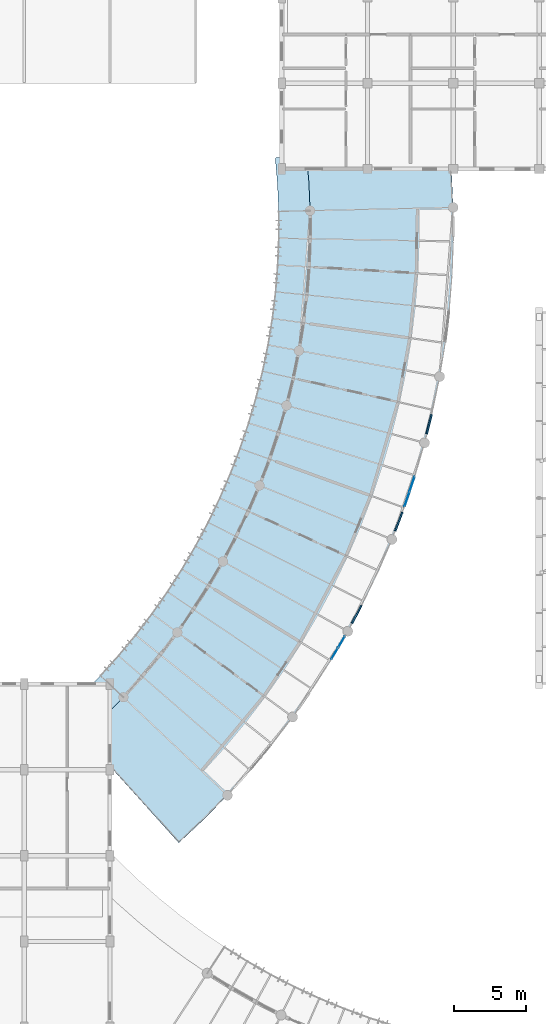
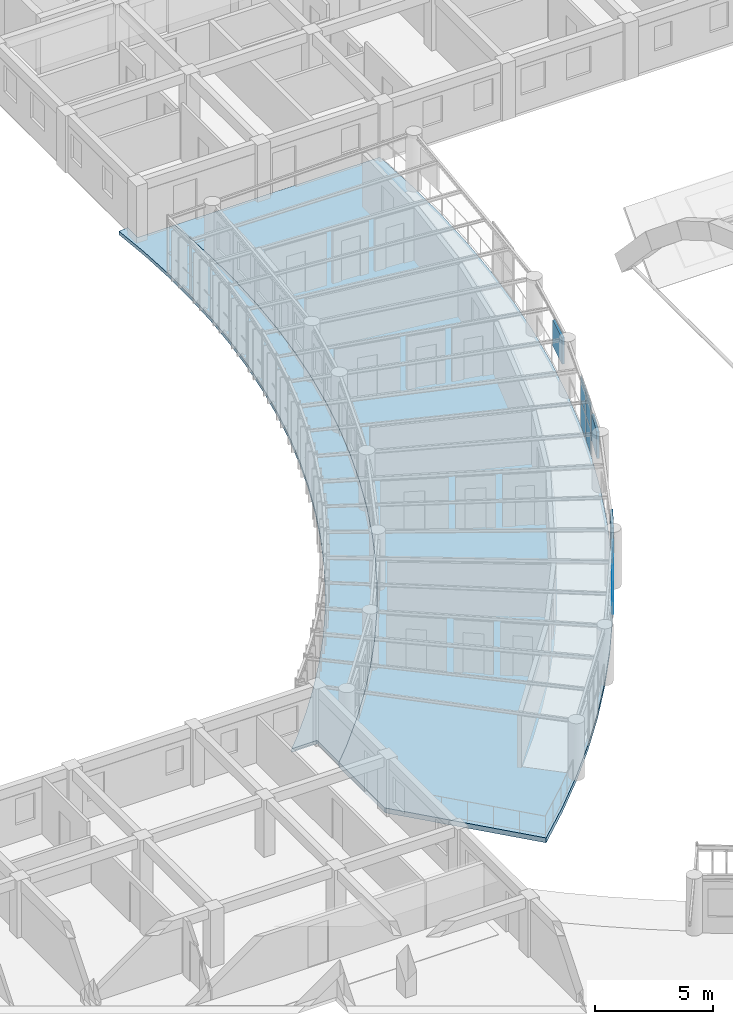
# One storey, part 61 of 123: 11 plates, 2 slabs, 2 elements without a shape of their own.
"""IFC4 building model written with IfcOpenShell, lengths in metres."""

from ifc_helpers import new_model, si_unit, direction, frame, origin, origin_2d, place, context, subcontext, project, spatial, polyline, rectangle, outline, extrude, material, layer, layer_set, type_object, element, aggregate, save


model = new_model("IFC4")

# Units and contexts
model_context = context("Model", 3, precision=1e-05, world=origin(), true_north=direction((0.0, 1.0)))
body_context = subcontext(model_context, "Body", "Model", "MODEL_VIEW")
ifc_project = project(units=[si_unit("LENGTHUNIT", "METRE"), si_unit("AREAUNIT", "SQUARE_METRE"), si_unit("VOLUMEUNIT", "CUBIC_METRE"), si_unit("PLANEANGLEUNIT", "RADIAN"), si_unit("MASSUNIT", "GRAM", prefix="KILO"), si_unit("POWERUNIT", "WATT"), si_unit("THERMODYNAMICTEMPERATUREUNIT", "KELVIN")], contexts=[model_context])

# Site, building, storey
site_placement = place(None, origin())
site = spatial("IfcSite", under=ifc_project, at=site_placement, CompositionType="ELEMENT")
building_placement = place(site_placement, origin())
building = spatial("IfcBuilding", under=site, at=building_placement, Name="Ruvembo Vaulted Housing Court", CompositionType="ELEMENT")
storey_placement = place(building_placement, frame((0.0, 0.0, 7.699951171875)))
storey = spatial("IfcBuildingStorey", under=building, at=storey_placement, Name="L02", CompositionType="ELEMENT", Elevation=7.699951171875)

# Curtain wall, plates
ifc_material_1 = material(Name="Anodised Aluminium and Solar-Control Glass", Category="aluminium")
ifc_layer_1 = layer(ifc_material_1, 0.139892578125, Name="Anodised Aluminium and Solar-Control Glass")
ifc_layer_set_1 = layer_set([ifc_layer_1], Name="Anodised Aluminium and Solar-Control Glass")
curtain_wall_type_1 = type_object("IfcCurtainWallType", Name="CW-SCOOP-PAN", PredefinedType="NOTDEFINED", material=ifc_layer_set_1)
curtain_wall_1_placement = place(storey_placement, origin())
curtain_wall_1 = element("IfcCurtainWall", 1, at=curtain_wall_1_placement, inside=storey, type_object=curtain_wall_type_1, Name="L02 Curtain Wall CW-L02-0015", PredefinedType="NOTDEFINED")
ifc_material_2 = material(Name="Solar-Control Laminated Insulating Glass", Category="glass")
ifc_layer_2 = layer(ifc_material_2, 0.035888671875, Name="Solar-Control Laminated Insulating Glass")
ifc_layer_set_2 = layer_set([ifc_layer_2], Name="Solar-Control Laminated Insulating Glass")
plate_type_1 = type_object("IfcPlateType", Name="CW-PANEL-ACOUST", PredefinedType="CURTAIN_PANEL", material=ifc_layer_set_2)
plate_1_placement = place(storey_placement, frame((56.764404296875, 54.927978515625, 0.06005859375), z_axis=(0.0, 0.0, 1.0), x_axis=(0.31983631808, 0.947472812083, 0.0)))
plate_1 = element("IfcPlate", 2, at=plate_1_placement, type_object=plate_type_1, Name="CW10 panel 1.1", PredefinedType="CURTAIN_PANEL", context=body_context, shape_type="SweptSolid", body=[
    extrude(rectangle(XDim=1.0556640625, YDim=0.035888671875, at=origin_2d()), origin(), (0.0, 0.0, 1.0), 1.259033203125),
])
plate_2_placement = place(storey_placement, frame((56.764404296875, 54.927978515625, 1.37890625), z_axis=(0.0, 0.0, 1.0), x_axis=(0.31983631808, 0.947472812083, 0.0)))
plate_2 = element("IfcPlate", 3, at=plate_2_placement, type_object=plate_type_1, Name="CW10 panel 1.2", PredefinedType="CURTAIN_PANEL", context=body_context, shape_type="SweptSolid", body=[
    extrude(rectangle(XDim=1.0556640625, YDim=0.035888671875, at=origin_2d()), origin(), (0.0, 0.0, 1.0), 1.259033203125),
])
plate_3_placement = place(storey_placement, frame((57.119873046875, 55.98046875, 0.06005859375), z_axis=(0.0, 0.0, 1.0), x_axis=(0.31983631808, 0.947472812083, 0.0)))
plate_3 = element("IfcPlate", 4, at=plate_3_placement, type_object=plate_type_1, Name="CW10 panel 2.1", PredefinedType="CURTAIN_PANEL", context=body_context, shape_type="SweptSolid", body=[
    extrude(rectangle(XDim=1.0556640625, YDim=0.035888671875, at=origin_2d()), origin(), (0.0, 0.0, 1.0), 1.259033203125),
])
plate_4_placement = place(storey_placement, frame((57.119873046875, 55.98046875, 1.37890625), z_axis=(0.0, 0.0, 1.0), x_axis=(0.31983631808, 0.947472812083, 0.0)))
plate_4 = element("IfcPlate", 5, at=plate_4_placement, type_object=plate_type_1, Name="CW10 panel 2.2", PredefinedType="CURTAIN_PANEL", context=body_context, shape_type="SweptSolid", body=[
    extrude(rectangle(XDim=1.0556640625, YDim=0.035888671875, at=origin_2d()), origin(), (0.0, 0.0, 1.0), 1.259033203125),
])
aggregate(curtain_wall_1, [plate_1, plate_2, plate_3, plate_4])

ifc_layer_3 = layer(ifc_material_1, 0.1201171875, Name="Anodised Aluminium and Solar-Control Glass")
ifc_layer_set_3 = layer_set([ifc_layer_3], Name="Anodised Aluminium and Solar-Control Glass")
curtain_wall_type_2 = type_object("IfcCurtainWallType", Name="CW-SCOOP-GAL", PredefinedType="NOTDEFINED", material=ifc_layer_set_3)
curtain_wall_2_placement = place(storey_placement, origin())
curtain_wall_2 = element("IfcCurtainWall", 6, at=curtain_wall_2_placement, inside=storey, type_object=curtain_wall_type_2, Name="L02 Curtain Wall CW-L02-0014", PredefinedType="NOTDEFINED")
ifc_layer_4 = layer(ifc_material_2, 0.028076171875, Name="Solar-Control Laminated Insulating Glass")
ifc_layer_set_4 = layer_set([ifc_layer_4], Name="Solar-Control Laminated Insulating Glass")
plate_type_2 = type_object("IfcPlateType", Name="CW-PANEL-GLAZED", PredefinedType="CURTAIN_PANEL", material=ifc_layer_set_4)
plate_5_placement = place(storey_placement, frame((51.7021484375, 44.1220703125, 0.06005859375), z_axis=(0.0, 0.0, 1.0), x_axis=(0.505876597392, 0.862605859133, 0.0)))
plate_5 = element("IfcPlate", 7, at=plate_5_placement, type_object=plate_type_2, Name="CW6 panel 1.1", PredefinedType="CURTAIN_PANEL", context=body_context, shape_type="SweptSolid", body=[
    extrude(rectangle(XDim=0.890869140625, YDim=0.028076171875, at=origin_2d()), origin(), (0.0, 0.0, 1.0), 1.259033203125),
])
plate_6_placement = place(storey_placement, frame((51.7021484375, 44.1220703125, 1.37890625), z_axis=(0.0, 0.0, 1.0), x_axis=(0.505876597392, 0.862605859133, 0.0)))
plate_6 = element("IfcPlate", 8, at=plate_6_placement, type_object=plate_type_2, Name="CW6 panel 1.2", PredefinedType="CURTAIN_PANEL", context=body_context, shape_type="SweptSolid", body=[
    extrude(rectangle(XDim=0.890869140625, YDim=0.028076171875, at=origin_2d()), origin(), (0.0, 0.0, 1.0), 1.259033203125),
])
plate_7_placement = place(storey_placement, frame((52.185546875, 44.946533203125, 0.06005859375), z_axis=(0.0, 0.0, 1.0), x_axis=(0.505876597392, 0.862605859133, 0.0)))
plate_7 = element("IfcPlate", 9, at=plate_7_placement, type_object=plate_type_2, Name="CW6 panel 2.1", PredefinedType="CURTAIN_PANEL", context=body_context, shape_type="SweptSolid", body=[
    extrude(rectangle(XDim=0.890869140625, YDim=0.028076171875, at=origin_2d()), origin(), (0.0, 0.0, 1.0), 1.259033203125),
])
plate_8_placement = place(storey_placement, frame((52.185546875, 44.946533203125, 1.37890625), z_axis=(0.0, 0.0, 1.0), x_axis=(0.505876597392, 0.862605859133, 0.0)))
plate_8 = element("IfcPlate", 10, at=plate_8_placement, type_object=plate_type_2, Name="CW6 panel 2.2", PredefinedType="CURTAIN_PANEL", context=body_context, shape_type="SweptSolid", body=[
    extrude(rectangle(XDim=0.890869140625, YDim=0.028076171875, at=origin_2d()), origin(), (0.0, 0.0, 1.0), 1.259033203125),
])
aggregate(curtain_wall_2, [plate_5, plate_6, plate_7, plate_8])

# Plates
ifc_material_3 = material(Name="Perforated Glazed Ceramic Cobogo Block", Category="ceramic")
ifc_layer_5 = layer(ifc_material_3, 0.1201171875, Name="Perforated Glazed Ceramic Cobogo Block")
ifc_layer_set_5 = layer_set([ifc_layer_5], Name="Perforated Glazed Ceramic Cobogo Block")
plate_type_3 = type_object("IfcPlateType", Name="PL-COBOGO-120", PredefinedType="USERDEFINED", material=ifc_layer_set_5)
for number, where, z_axis, x_axis, name in (
    (11, (53.25, 46.8701171875, 1.1201171875), (0.0, 0.0, 1.0), (0.470134075244, 0.882595009783, 0.0), "Scoop SC1 L02 Ceramic Cobogo Screen #9"),
    (12, (56.18994140625, 53.359130859375, 1.1201171875), (0.0, 0.0, 1.0), (0.358335361222, 0.93359293533, 0.0), "Scoop SC1 L02 Ceramic Cobogo Screen #10"),
    (13, (58.312255859375, 60.159912109375, 1.1201171875), (0.0, 0.0, 1.0), (0.241193628767, 0.970477013351, 0.0), "Scoop SC1 L02 Ceramic Cobogo Screen #11"),
):
    element("IfcPlate", number, at=place(storey_placement, frame(where, z_axis=z_axis, x_axis=x_axis)), inside=storey, type_object=plate_type_3, Name=name, ObjectType="COBOGO_PANEL", PredefinedType="USERDEFINED", context=body_context, shape_type="SweptSolid", body=[
        extrude(rectangle(XDim=1.39990234375, YDim=0.1201171875, at=origin_2d()), origin(), (0.0, 0.0, 1.0), 1.360107421875),
    ])

# Slabs
ifc_material_4 = material(Name="Concrete C35/45", Category="concrete")
ifc_layer_6 = layer(ifc_material_4, 0.179931640625, Name="Concrete C35/45")
ifc_layer_set_6 = layer_set([ifc_layer_6], Name="Concrete C35/45")
slab_type_1 = type_object("IfcSlabType", Name="SL-BAL-180", PredefinedType="FLOOR", material=ifc_layer_set_6)
slab_1_placement = place(storey_placement, frame((0.0, 0.0, -0.179931640625)))
element("IfcSlab", 14, at=slab_1_placement, inside=storey, type_object=slab_type_1, Name="Scoop SC1 L02 Continuous Curved Balcony Slab", PredefinedType="FLOOR", context=body_context, shape_type="SweptSolid", body=[
    extrude(outline(polyline([(34.753173828125, 42.0), (36.0, 42.0), (36.0, 40.13037109375), (36.9306640625, 41.078125), (38.25, 42.53662109375), (39.50830078125, 44.048095703125), (40.7041015625, 45.60986328125), (41.83447265625, 47.21923828125), (42.898193359375, 48.87353515625), (43.89306640625, 50.570068359375), (44.81787109375, 52.305908203125), (45.670654296875, 54.078125), (46.449951171875, 55.8837890625), (47.15478515625, 57.719970703125), (47.783935546875, 59.58349609375), (48.3359375, 61.47119140625), (48.810302734375, 63.3798828125), (49.206298828125, 65.306396484375), (49.522705078125, 67.24755859375), (49.759521484375, 69.199951171875), (49.916015625, 71.16064453125), (49.991943359375, 73.1259765625), (49.987548828125, 75.092529296875), (49.902587890625, 77.0576171875), (49.822998046875, 78.0), (48.0, 78.0), (48.0, 78.834716796875), (47.549072265625, 78.787353515625), (47.70703125, 76.91748046875), (47.7880859375, 75.04248046875), (47.79248046875, 73.166015625), (47.7197265625, 71.290771484375), (47.5703125, 69.419921875), (47.344482421875, 67.556884765625), (47.04248046875, 65.704833984375), (46.664794921875, 63.86669921875), (46.21240234375, 62.04541015625), (45.685546875, 60.244140625), (45.085205078125, 58.46630859375), (44.41259765625, 56.714111328125), (43.6689453125, 54.9912109375), (42.855224609375, 53.30029296875), (41.972900390625, 51.643798828125), (41.023681640625, 50.025146484375), (40.0087890625, 48.446533203125), (38.929931640625, 46.910888671875), (37.789306640625, 45.4208984375), (36.58837890625, 43.978759765625), (35.32958984375, 42.5869140625), (34.753173828125, 42.0)])), origin(), (0.0, 0.0, 1.0), 0.179931640625),
])
ifc_layer_7 = layer(ifc_material_4, 0.251953125, Name="Concrete C35/45")
ifc_layer_set_7 = layer_set([ifc_layer_7], Name="Concrete C35/45")
slab_type_2 = type_object("IfcSlabType", Name="SL-SCOOP-252", PredefinedType="FLOOR", material=ifc_layer_set_7)
slab_2_placement = place(storey_placement, frame((0.0, 0.0, -0.251953125)))
element("IfcSlab", 15, at=slab_2_placement, inside=storey, type_object=slab_type_2, Name="Scoop SC1 L02 Floor Slab", PredefinedType="FLOOR", context=body_context, shape_type="SweptSolid", body=[
    extrude(outline(polyline([(36.0, 40.13037109375), (36.0, 36.2392578125), (40.8095703125, 30.897705078125), (42.542724609375, 32.523681640625), (44.207763671875, 34.21923828125), (45.802001953125, 35.981689453125), (47.32275390625, 37.80810546875), (48.767333984375, 39.6953125), (50.13330078125, 41.639892578125), (51.418701171875, 43.638916015625), (52.620849609375, 45.688720703125), (53.73828125, 47.786376953125), (54.7685546875, 49.927734375), (55.71044921875, 52.109619140625), (56.56201171875, 54.328369140625), (57.322265625, 56.580078125), (57.989501953125, 58.861083984375), (58.5625, 61.16748046875), (59.040771484375, 63.495361328125), (59.423095703125, 65.8408203125), (59.709228515625, 68.199951171875), (59.8984375, 70.569091796875), (59.990478515625, 72.94384765625), (59.985107421875, 75.3203125), (59.882080078125, 77.694580078125), (59.8564453125, 78.0), (49.822998046875, 78.0), (49.902587890625, 77.0576171875), (49.987548828125, 75.092529296875), (49.991943359375, 73.1259765625), (49.916015625, 71.16064453125), (49.759521484375, 69.199951171875), (49.522705078125, 67.24755859375), (49.206298828125, 65.306396484375), (48.810302734375, 63.3798828125), (48.3359375, 61.47119140625), (47.783935546875, 59.58349609375), (47.15478515625, 57.719970703125), (46.449951171875, 55.8837890625), (45.670654296875, 54.078125), (44.81787109375, 52.305908203125), (43.89306640625, 50.570068359375), (42.898193359375, 48.87353515625), (41.83447265625, 47.21923828125), (40.7041015625, 45.60986328125), (39.50830078125, 44.048095703125), (38.25, 42.53662109375), (36.9306640625, 41.078125), (36.0, 40.13037109375)])), origin(), (0.0, 0.0, 1.0), 0.251953125),
])

save(model, "model.ifc")
